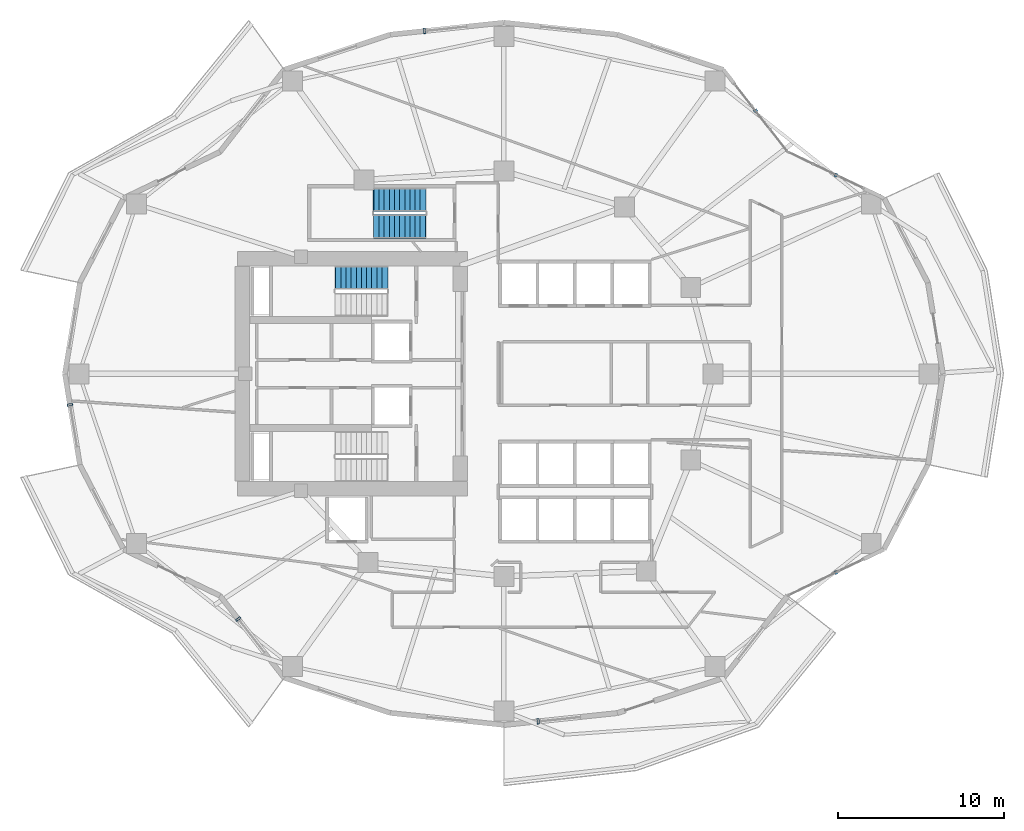
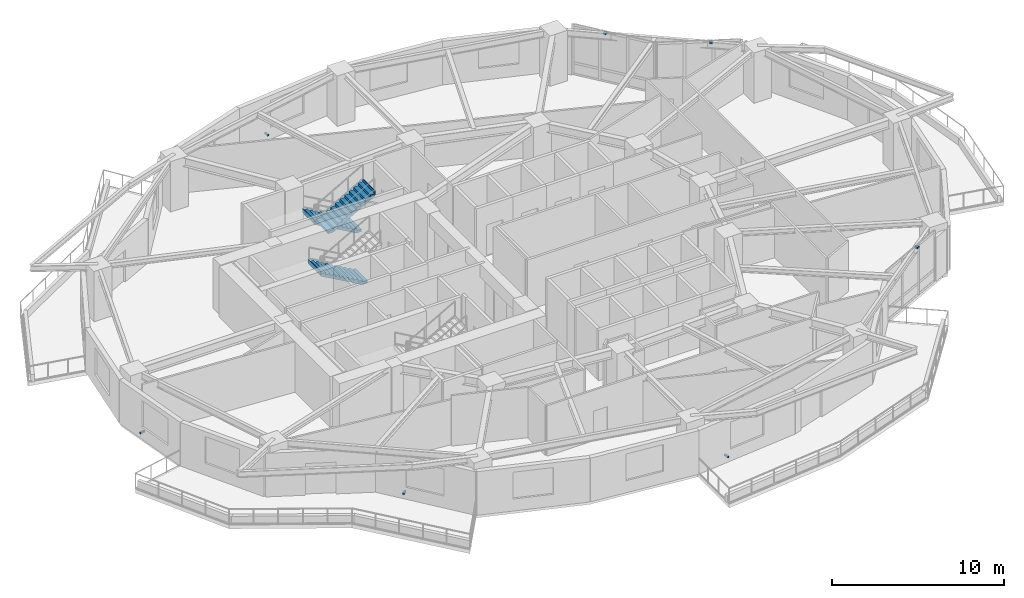
# One storey, part 10 of 13: 7 discrete accessories, 3 stair flights, 2 elements without a shape of their own.
"""IFC4 building model written with IfcOpenShell, lengths in metres."""

from ifc_helpers import new_model, si_unit, direction, frame, origin, origin_2d, place, context, subcontext, project, spatial, polyline, rectangle, outline, extrude, material, type_object, element, aggregate, save


model = new_model("IFC4")

# Units and contexts
model_context = context("Model", 3, precision=1e-05, world=origin(), true_north=direction((0.0, 1.0)))
body_context = subcontext(model_context, "Body", "Model", "MODEL_VIEW")
ifc_project = project(units=[si_unit("LENGTHUNIT", "METRE"), si_unit("AREAUNIT", "SQUARE_METRE"), si_unit("VOLUMEUNIT", "CUBIC_METRE"), si_unit("PLANEANGLEUNIT", "RADIAN"), si_unit("MASSUNIT", "GRAM", prefix="KILO")], contexts=[model_context])

# Site, building, storey
site_placement = place(None, origin())
site = spatial("IfcSite", under=ifc_project, at=site_placement, CompositionType="ELEMENT")
building_placement = place(site_placement, origin())
building = spatial("IfcBuilding", under=site, at=building_placement, Name="Kolvaren Gate Tower and Convention Centre", CompositionType="ELEMENT")
storey_placement = place(building_placement, frame((0.0, 0.0, 76.550048828125)))
storey = spatial("IfcBuildingStorey", under=building, at=storey_placement, Name="L18", CompositionType="ELEMENT", Elevation=76.550048828125)

# Stair, stair flight
ifc_material_1 = material(Name="Concrete C50/60", Category="concrete")
stair_type = type_object("IfcStairType", Name="STR-STAIR-CORE", PredefinedType="HALF_TURN_STAIR", material=ifc_material_1)
stair_1_placement = place(storey_placement, origin())
stair_1 = element("IfcStair", 1, at=stair_1_placement, inside=storey, type_object=stair_type, Name="L18 Tower North Exit Stair ST-T1", PredefinedType="HALF_TURN_STAIR")
stair_flight_type = type_object("IfcStairFlightType", Name="STR-SFL-1420", PredefinedType="STRAIGHT", material=ifc_material_1)
stair_flight_1_placement = place(storey_placement, frame((23.10009765625, 32.7900390625, 0.0), z_axis=(0.0, 0.0, 1.0), x_axis=(-1.0, 0.0, 0.0)))
stair_flight_1 = element("IfcStairFlight", 2, at=stair_flight_1_placement, type_object=stair_flight_type, Name="ST-T1 flight 1", NumberOfRisers=11, NumberOfTreads=10, PredefinedType="STRAIGHT", RiserHeight=0.175, TreadLength=0.31, context=body_context, shape_type="SweptSolid", body=[
    extrude(outline(polyline([(-0.034912109375, 0.0), (-0.034912109375, 0.175048828125), (0.31005859375, 0.175048828125), (0.31005859375, 0.35009765625), (0.6201171875, 0.35009765625), (0.6201171875, 0.52490234375), (0.929931640625, 0.52490234375), (0.929931640625, 0.699951171875), (1.239990234375, 0.699951171875), (1.239990234375, 0.875), (1.550048828125, 0.875), (1.550048828125, 1.050048828125), (1.860107421875, 1.050048828125), (1.860107421875, 1.22509765625), (2.169921875, 1.22509765625), (2.169921875, 1.39990234375), (2.47998046875, 1.39990234375), (2.47998046875, 1.574951171875), (2.7900390625, 1.574951171875), (2.7900390625, 1.75), (3.10009765625, 1.75), (3.10009765625, 1.925048828125), (3.14501953125, 1.925048828125), (3.14501953125, 1.764892578125), (3.10009765625, 1.577880859375), (0.304931640625, 0.0), (-0.034912109375, 0.0)])), frame((0.0, 0.7099609375, 0.0), z_axis=(0.0, -1.0, 0.0), x_axis=(1.0, 0.0, 0.0)), (0.0, 0.0, 1.0), 1.419921875),
])
aggregate(stair_1, [stair_flight_1])

# Stair, stair flights
stair_2_placement = place(storey_placement, origin())
stair_2 = element("IfcStair", 3, at=stair_2_placement, inside=storey, type_object=stair_type, Name="L18 Tower Mid-Zone Exit Stair ST-T3", PredefinedType="HALF_TURN_STAIR")
stair_flight_2_placement = place(storey_placement, frame((25.39990234375, 37.489990234375, 0.0), z_axis=(0.0, 0.0, 1.0), x_axis=(-1.0, 0.0, 0.0)))
stair_flight_2 = element("IfcStairFlight", 4, at=stair_flight_2_placement, type_object=stair_flight_type, Name="ST-T3 flight 1", NumberOfRisers=11, NumberOfTreads=10, PredefinedType="STRAIGHT", RiserHeight=0.175, TreadLength=0.31, context=body_context, shape_type="SweptSolid", body=[
    extrude(outline(polyline([(-0.034912109375, 0.0), (-0.034912109375, 0.175048828125), (0.31005859375, 0.175048828125), (0.31005859375, 0.35009765625), (0.6201171875, 0.35009765625), (0.6201171875, 0.52490234375), (0.929931640625, 0.52490234375), (0.929931640625, 0.699951171875), (1.239990234375, 0.699951171875), (1.239990234375, 0.875), (1.550048828125, 0.875), (1.550048828125, 1.050048828125), (1.860107421875, 1.050048828125), (1.860107421875, 1.22509765625), (2.169921875, 1.22509765625), (2.169921875, 1.39990234375), (2.47998046875, 1.39990234375), (2.47998046875, 1.574951171875), (2.7900390625, 1.574951171875), (2.7900390625, 1.75), (3.10009765625, 1.75), (3.10009765625, 1.925048828125), (3.14501953125, 1.925048828125), (3.14501953125, 1.764892578125), (3.10009765625, 1.577880859375), (0.304931640625, 0.0), (-0.034912109375, 0.0)])), frame((0.0, 0.7099609375, 0.0), z_axis=(0.0, -1.0, 0.0), x_axis=(1.0, 0.0, 0.0)), (0.0, 0.0, 1.0), 1.419921875),
])
stair_flight_3_placement = place(storey_placement, frame((22.300048828125, 35.8701171875, 1.925048828125), z_axis=(0.0, 0.0, 1.0), x_axis=(1.0, 0.0, 0.0)))
stair_flight_3 = element("IfcStairFlight", 5, at=stair_flight_3_placement, type_object=stair_flight_type, Name="ST-T3 flight 2", NumberOfRisers=11, NumberOfTreads=10, PredefinedType="STRAIGHT", RiserHeight=0.175, TreadLength=0.31, context=body_context, shape_type="SweptSolid", body=[
    extrude(outline(polyline([(-0.034912109375, 0.0), (-0.034912109375, 0.175048828125), (0.31005859375, 0.175048828125), (0.31005859375, 0.35009765625), (0.6201171875, 0.35009765625), (0.6201171875, 0.52490234375), (0.929931640625, 0.52490234375), (0.929931640625, 0.699951171875), (1.239990234375, 0.699951171875), (1.239990234375, 0.875), (1.550048828125, 0.875), (1.550048828125, 1.050048828125), (1.860107421875, 1.050048828125), (1.860107421875, 1.22509765625), (2.169921875, 1.22509765625), (2.169921875, 1.39990234375), (2.47998046875, 1.39990234375), (2.47998046875, 1.574951171875), (2.7900390625, 1.574951171875), (2.7900390625, 1.75), (3.10009765625, 1.75), (3.10009765625, 1.925048828125), (3.14501953125, 1.925048828125), (3.14501953125, 1.764892578125), (3.10009765625, 1.577880859375), (0.304931640625, 0.0), (-0.034912109375, 0.0)])), frame((0.0, 0.7099609375, 0.0), z_axis=(0.0, -1.0, 0.0), x_axis=(1.0, 0.0, 0.0)), (0.0, 0.0, 1.0), 1.419921875),
])
aggregate(stair_2, [stair_flight_2, stair_flight_3])

# Discrete accessories
ifc_material_2 = material(Name="Anodized Architectural Aluminium Alloy 6063-T6", Category="aluminium")
discrete_accessory_type = type_object("IfcDiscreteAccessoryType", Name="ARCH-ACC-BRACKET-120", PredefinedType="BRACKET", material=ifc_material_2)
for number, where, z_axis, x_axis, name in (
    (6, (50.122314453125, 38.967529296875, 3.389892578125), (0.0, 0.0, 1.0), (0.901357634097, -0.433075530889, 0.0), "Solar Screen Spandrel Anchor Bracket BK-L18-02"),
    (7, (45.283935546875, 42.83837890625, 3.389892578125), (0.0, 0.0, 1.0), (0.616431370541, -0.787408639407, 0.0), "Solar Screen Spandrel Anchor Bracket BK-L18-03"),
):
    element("IfcDiscreteAccessory", number, at=place(storey_placement, frame(where, z_axis=z_axis, x_axis=x_axis)), inside=storey, type_object=discrete_accessory_type, Name=name, PredefinedType="BRACKET", context=body_context, shape_type="SweptSolid", body=[
        extrude(rectangle(XDim=0.179931640625, YDim=0.219970703125, at=origin_2d()), origin(), (0.0, 0.0, 1.0), 0.1201171875),
    ])
for number, where, z_axis, x_axis, name in (
    (8, (25.35107421875, 47.647216796875, 0.289794921875), (0.0, 0.0, 1.0), (0.994498884311, 0.104747167526, 0.0), "Ceramic Fin Wall Anchor Bracket FBK-L18-06"),
    (9, (3.994384765625, 25.135009765625, 0.289794921875), (0.0, 0.0, 1.0), (0.162375401515, -0.986729055508, 0.0), "Ceramic Fin Wall Anchor Bracket FBK-L18-12"),
    (10, (14.127685546875, 12.23291015625, 0.289794921875), (0.0, 0.0, 1.0), (0.616431370541, -0.787408639407, 0.0), "Ceramic Fin Wall Anchor Bracket FBK-L18-15"),
    (11, (32.193603515625, 6.06787109375, 0.289794921875), (0.0, 0.0, 1.0), (0.994498884311, 0.104747167526, 0.0), "Ceramic Fin Wall Anchor Bracket FBK-L18-18"),
):
    element("IfcDiscreteAccessory", number, at=place(storey_placement, frame(where, z_axis=z_axis, x_axis=x_axis)), inside=storey, type_object=discrete_accessory_type, Name=name, PredefinedType="BRACKET", context=body_context, shape_type="SweptSolid", body=[
        extrude(rectangle(XDim=0.1201171875, YDim=0.320068359375, at=origin_2d()), origin(), (0.0, 0.0, 1.0), 0.1201171875),
    ])
discrete_accessory_placement = place(storey_placement, frame((50.122314453125, 15.032470703125, 3.389892578125), z_axis=(0.0, 0.0, 1.0), x_axis=(0.901357634097, 0.433075530889, 0.0)))
element("IfcDiscreteAccessory", 12, at=discrete_accessory_placement, inside=storey, type_object=discrete_accessory_type, Name="Solar Screen Spandrel Anchor Bracket BK-L18-21", PredefinedType="BRACKET", context=body_context, shape_type="SweptSolid", body=[
    extrude(rectangle(XDim=0.179931640625, YDim=0.219970703125, at=origin_2d()), origin(), (0.0, 0.0, 1.0), 0.1201171875),
])

save(model, "model.ifc")
